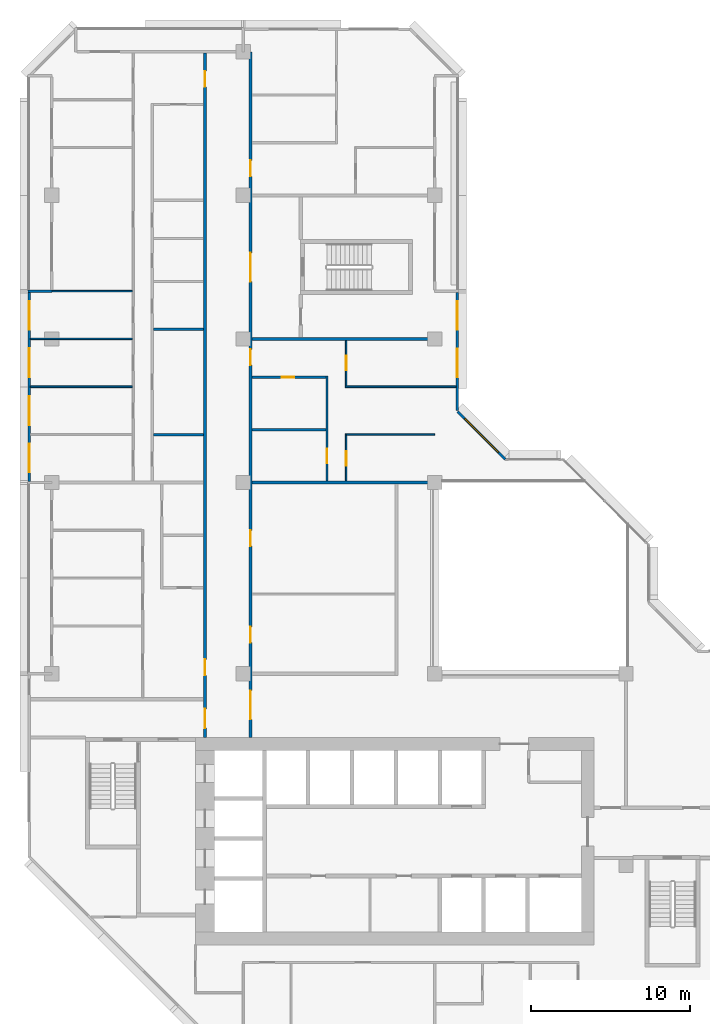
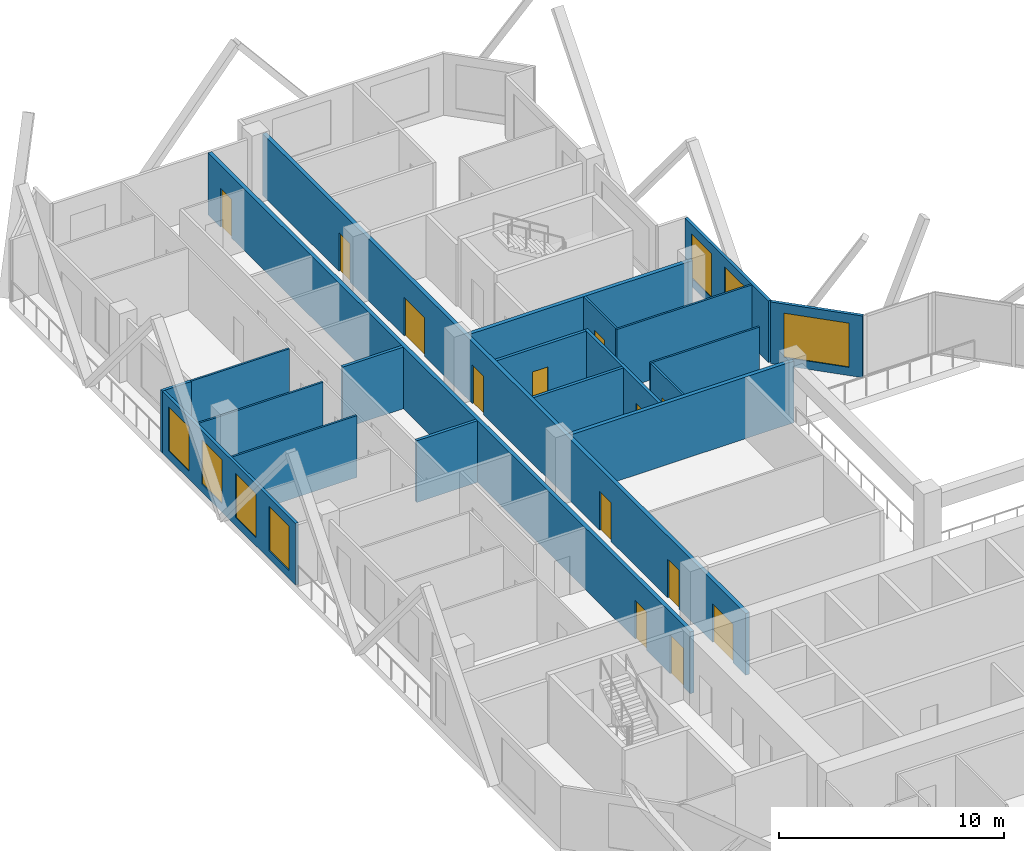
# One storey, part 9 of 14: 20 walls, 13 doors, 7 windows, 20 openings.
"""IFC4 building model written with IfcOpenShell, lengths in metres."""

from ifc_helpers import new_model, si_unit, direction, frame, frame_2d, origin, place, context, subcontext, project, spatial, rectangle, extrude, material, layer, layer_set, type_object, element, fill, save


model = new_model("IFC4")

# Units and contexts
model_context = context("Model", 3, precision=1e-05, world=origin(), true_north=direction((0.0, 1.0)))
body_context = subcontext(model_context, "Body", "Model", "MODEL_VIEW")
ifc_project = project(units=[si_unit("LENGTHUNIT", "METRE"), si_unit("AREAUNIT", "SQUARE_METRE"), si_unit("VOLUMEUNIT", "CUBIC_METRE"), si_unit("PLANEANGLEUNIT", "RADIAN"), si_unit("MASSUNIT", "GRAM", prefix="KILO")], contexts=[model_context])

# Site, building, storey
site_placement = place(None, origin())
site = spatial("IfcSite", under=ifc_project, at=site_placement, CompositionType="ELEMENT")
building_placement = place(site_placement, origin())
building = spatial("IfcBuilding", under=site, at=building_placement, Name="Chenar Terraces", CompositionType="ELEMENT")
storey_placement = place(building_placement, frame((0.0, 0.0, 157.39990234375)))
storey = spatial("IfcBuildingStorey", under=building, at=storey_placement, Name="L35", CompositionType="ELEMENT", Elevation=157.39990234375)

# Wall, openings, doors
ifc_material_1 = material(Name="Gypsum board on steel studs with fire boards", Category="steel")
ifc_layer_1 = layer(ifc_material_1, 0.199951171875)
ifc_layer_set_1 = layer_set([ifc_layer_1], Name="Gypsum board on steel studs with fire boards")
wall_type_1 = type_object("IfcWallType", Name="Corridor wall 200", PredefinedType="PARTITIONING", material=ifc_layer_set_1)
wall_1_placement = place(storey_placement, frame((9.60009765625, 20.0, 0.0), z_axis=(0.0, 0.0, 1.0), x_axis=(0.0, 1.0, 0.0)))
wall_1 = element("IfcWall", 1, at=wall_1_placement, inside=storey, type_object=wall_type_1, Name="Partition L35-028", PredefinedType="PARTITIONING", context=body_context, shape_type="SweptSolid", body=[
    extrude(rectangle(XDim=42.926025390625, YDim=0.199951171875, at=frame_2d((21.462890625, 0.0))), origin(), (0.0, 0.0, 1.0), 3.35009765625),
])
opening_1_placement = place(wall_1_placement, frame((40.800048828125, 0.0, 0.0)))
opening_1 = element("IfcOpeningElement", 2, at=opening_1_placement, cuts=wall_1, Name="Opening DL35-28", PredefinedType="OPENING", context=body_context, shape_type="SweptSolid", body=[
    extrude(rectangle(XDim=1.0, YDim=2.10009765625, at=frame_2d((0.5, 1.050048828125))), frame((0.0, 0.10986328125, 0.0), z_axis=(0.0, -1.0, 0.0), x_axis=(1.0, 0.0, 0.0)), (0.0, 0.0, 1.0), 0.219970703125),
])
opening_2_placement = place(wall_1_placement, frame((0.60009765625, 0.0, 0.0)))
opening_2 = element("IfcOpeningElement", 3, at=opening_2_placement, cuts=wall_1, Name="Opening DL35-37", PredefinedType="OPENING", context=body_context, shape_type="SweptSolid", body=[
    extrude(rectangle(XDim=1.199951171875, YDim=2.10009765625, at=frame_2d((0.60009765625, 1.050048828125))), frame((0.0, 0.10986328125, 0.0), z_axis=(0.0, -1.0, 0.0), x_axis=(1.0, 0.0, 0.0)), (0.0, 0.0, 1.0), 0.219970703125),
])
opening_3_placement = place(wall_1_placement, frame((3.89990234375, 0.0, 0.0)))
opening_3 = element("IfcOpeningElement", 4, at=opening_3_placement, cuts=wall_1, Name="Opening DL35-62", PredefinedType="OPENING", context=body_context, shape_type="SweptSolid", body=[
    extrude(rectangle(XDim=1.0, YDim=2.10009765625, at=frame_2d((0.5, 1.050048828125))), frame((0.0, 0.10986328125, 0.0), z_axis=(0.0, -1.0, 0.0), x_axis=(1.0, 0.0, 0.0)), (0.0, 0.0, 1.0), 0.219970703125),
])
ifc_material_2 = material(Name="Steel-framed fire-resisting door leaf", Category="steel")
door_type_1 = type_object("IfcDoorType", Name="Fire door FD30S 1000 x 2100", OperationType="SINGLE_SWING_LEFT", PredefinedType="DOOR", material=ifc_material_2)
door_1_placement = place(opening_1_placement, origin())
door_1 = element("IfcDoor", 5, at=door_1_placement, inside=storey, type_object=door_type_1, Name="Door DL35-28", OperationType="SINGLE_SWING_LEFT", OverallHeight=2.10009765625, OverallWidth=1.0, PredefinedType="DOOR", context=body_context, shape_type="SweptSolid", body=[
    extrude(rectangle(XDim=1.0, YDim=2.10009765625, at=frame_2d((0.5, 1.050048828125))), frame((0.0, 0.02490234375, 0.0), z_axis=(0.0, -1.0, 0.0), x_axis=(1.0, 0.0, 0.0)), (0.0, 0.0, 1.0), 0.050048828125),
])
fill(opening_1, door_1)
door_2_placement = place(opening_3_placement, origin())
door_2 = element("IfcDoor", 6, at=door_2_placement, inside=storey, type_object=door_type_1, Name="Door DL35-62", OperationType="SINGLE_SWING_LEFT", OverallHeight=2.10009765625, OverallWidth=1.0, PredefinedType="DOOR", context=body_context, shape_type="SweptSolid", body=[
    extrude(rectangle(XDim=1.0, YDim=2.10009765625, at=frame_2d((0.5, 1.050048828125))), frame((0.0, 0.02490234375, 0.0), z_axis=(0.0, -1.0, 0.0), x_axis=(1.0, 0.0, 0.0)), (0.0, 0.0, 1.0), 0.050048828125),
])
fill(opening_3, door_2)
ifc_material_3 = material(Name="Steel-framed fire-resisting door leaf", Category="steel")
door_type_2 = type_object("IfcDoorType", Name="Fire door FD30S 1200 x 2100", OperationType="SINGLE_SWING_LEFT", PredefinedType="DOOR", material=ifc_material_3)
door_3_placement = place(opening_2_placement, origin())
door_3 = element("IfcDoor", 7, at=door_3_placement, inside=storey, type_object=door_type_2, Name="Door DL35-37", OperationType="SINGLE_SWING_RIGHT", OverallHeight=2.10009765625, OverallWidth=1.199951171875, PredefinedType="DOOR", context=body_context, shape_type="SweptSolid", body=[
    extrude(rectangle(XDim=1.199951171875, YDim=2.10009765625, at=frame_2d((0.60009765625, 1.050048828125))), frame((0.0, 0.02490234375, 0.0), z_axis=(0.0, -1.0, 0.0), x_axis=(1.0, 0.0, 0.0)), (0.0, 0.0, 1.0), 0.050048828125),
])
fill(opening_2, door_3)

wall_2_placement = place(storey_placement, frame((12.449951171875, 20.0, 0.0), z_axis=(0.0, 0.0, 1.0), x_axis=(0.0, 1.0, 0.0)))
wall_2 = element("IfcWall", 8, at=wall_2_placement, inside=storey, type_object=wall_type_1, Name="Partition L35-031", PredefinedType="PARTITIONING", context=body_context, shape_type="SweptSolid", body=[
    extrude(rectangle(XDim=43.0, YDim=0.199951171875, at=frame_2d((21.5, 0.0))), origin(), (0.0, 0.0, 1.0), 3.35009765625),
])
opening_4_placement = place(wall_2_placement, frame((5.949951171875, 0.0, 0.0)))
opening_4 = element("IfcOpeningElement", 9, at=opening_4_placement, cuts=wall_2, Name="Opening DL35-1", PredefinedType="OPENING", context=body_context, shape_type="SweptSolid", body=[
    extrude(rectangle(XDim=1.0, YDim=2.10009765625, at=frame_2d((0.5, 1.050048828125))), frame((0.0, 0.10986328125, 0.0), z_axis=(0.0, -1.0, 0.0), x_axis=(1.0, 0.0, 0.0)), (0.0, 0.0, 1.0), 0.219970703125),
])
opening_5_placement = place(wall_2_placement, frame((12.0, 0.0, 0.0)))
opening_5 = element("IfcOpeningElement", 10, at=opening_5_placement, cuts=wall_2, Name="Opening DL35-2", PredefinedType="OPENING", context=body_context, shape_type="SweptSolid", body=[
    extrude(rectangle(XDim=1.0, YDim=2.10009765625, at=frame_2d((0.5, 1.050048828125))), frame((0.0, 0.10986328125, 0.0), z_axis=(0.0, -1.0, 0.0), x_axis=(1.0, 0.0, 0.0)), (0.0, 0.0, 1.0), 0.219970703125),
])
opening_6_placement = place(wall_2_placement, frame((23.35009765625, 0.0, 0.0)))
opening_6 = element("IfcOpeningElement", 11, at=opening_6_placement, cuts=wall_2, Name="Opening DL35-16", PredefinedType="OPENING", context=body_context, shape_type="SweptSolid", body=[
    extrude(rectangle(XDim=1.0, YDim=2.10009765625, at=frame_2d((0.5, 1.050048828125))), frame((0.0, 0.10986328125, 0.0), z_axis=(0.0, -1.0, 0.0), x_axis=(1.0, 0.0, 0.0)), (0.0, 0.0, 1.0), 0.219970703125),
])
opening_7_placement = place(wall_2_placement, frame((35.199951171875, 0.0, 0.0)))
opening_7 = element("IfcOpeningElement", 12, at=opening_7_placement, cuts=wall_2, Name="Opening DL35-20", PredefinedType="OPENING", context=body_context, shape_type="SweptSolid", body=[
    extrude(rectangle(XDim=1.0, YDim=2.10009765625, at=frame_2d((0.5, 1.050048828125))), frame((0.0, 0.10986328125, 0.0), z_axis=(0.0, -1.0, 0.0), x_axis=(1.0, 0.0, 0.0)), (0.0, 0.0, 1.0), 0.219970703125),
])
opening_8_placement = place(wall_2_placement, frame((1.14990234375, 0.0, 0.0)))
opening_8 = element("IfcOpeningElement", 13, at=opening_8_placement, cuts=wall_2, Name="Opening DL35-36", PredefinedType="OPENING", context=body_context, shape_type="SweptSolid", body=[
    extrude(rectangle(XDim=1.800048828125, YDim=2.10009765625, at=frame_2d((0.89990234375, 1.050048828125))), frame((0.0, 0.10986328125, 0.0), z_axis=(0.0, -1.0, 0.0), x_axis=(1.0, 0.0, 0.0)), (0.0, 0.0, 1.0), 0.219970703125),
])
opening_9_placement = place(wall_2_placement, frame((28.60009765625, 0.0, 0.0)))
opening_9 = element("IfcOpeningElement", 14, at=opening_9_placement, cuts=wall_2, Name="Opening DL35-38", PredefinedType="OPENING", context=body_context, shape_type="SweptSolid", body=[
    extrude(rectangle(XDim=1.800048828125, YDim=2.10009765625, at=frame_2d((0.89990234375, 1.050048828125))), frame((0.0, 0.10986328125, 0.0), z_axis=(0.0, -1.0, 0.0), x_axis=(1.0, 0.0, 0.0)), (0.0, 0.0, 1.0), 0.219970703125),
])
ifc_material_4 = material(Name="Steel-framed fire-resisting door leaf", Category="steel")
door_type_3 = type_object("IfcDoorType", Name="Fire door FD60 1000 x 2100", OperationType="SINGLE_SWING_LEFT", PredefinedType="DOOR", material=ifc_material_4)
door_4_placement = place(opening_4_placement, frame((1.0, 0.0, 0.0), z_axis=(0.0, 0.0, 1.0), x_axis=(-1.0, 0.0, 0.0)))
door_4 = element("IfcDoor", 15, at=door_4_placement, inside=storey, type_object=door_type_3, Name="Door DL35-1", OperationType="SINGLE_SWING_LEFT", OverallHeight=2.10009765625, OverallWidth=1.0, PredefinedType="DOOR", context=body_context, shape_type="SweptSolid", body=[
    extrude(rectangle(XDim=1.0, YDim=2.10009765625, at=frame_2d((0.5, 1.050048828125))), frame((0.0, 0.02490234375, 0.0), z_axis=(0.0, -1.0, 0.0), x_axis=(1.0, 0.0, 0.0)), (0.0, 0.0, 1.0), 0.050048828125),
])
fill(opening_4, door_4)
door_5_placement = place(opening_5_placement, frame((1.0, 0.0, 0.0), z_axis=(0.0, 0.0, 1.0), x_axis=(-1.0, 0.0, 0.0)))
door_5 = element("IfcDoor", 16, at=door_5_placement, inside=storey, type_object=door_type_3, Name="Door DL35-2", OperationType="SINGLE_SWING_LEFT", OverallHeight=2.10009765625, OverallWidth=1.0, PredefinedType="DOOR", context=body_context, shape_type="SweptSolid", body=[
    extrude(rectangle(XDim=1.0, YDim=2.10009765625, at=frame_2d((0.5, 1.050048828125))), frame((0.0, 0.02490234375, 0.0), z_axis=(0.0, -1.0, 0.0), x_axis=(1.0, 0.0, 0.0)), (0.0, 0.0, 1.0), 0.050048828125),
])
fill(opening_5, door_5)
door_6_placement = place(opening_6_placement, frame((1.0, 0.0, 0.0), z_axis=(0.0, 0.0, 1.0), x_axis=(-1.0, 0.0, 0.0)))
door_6 = element("IfcDoor", 17, at=door_6_placement, inside=storey, type_object=door_type_3, Name="Door DL35-16", OperationType="SINGLE_SWING_LEFT", OverallHeight=2.10009765625, OverallWidth=1.0, PredefinedType="DOOR", context=body_context, shape_type="SweptSolid", body=[
    extrude(rectangle(XDim=1.0, YDim=2.10009765625, at=frame_2d((0.5, 1.050048828125))), frame((0.0, 0.02490234375, 0.0), z_axis=(0.0, -1.0, 0.0), x_axis=(1.0, 0.0, 0.0)), (0.0, 0.0, 1.0), 0.050048828125),
])
fill(opening_6, door_6)
door_7_placement = place(opening_7_placement, frame((1.0, 0.0, 0.0), z_axis=(0.0, 0.0, 1.0), x_axis=(-1.0, 0.0, 0.0)))
door_7 = element("IfcDoor", 18, at=door_7_placement, inside=storey, type_object=door_type_3, Name="Door DL35-20", OperationType="SINGLE_SWING_LEFT", OverallHeight=2.10009765625, OverallWidth=1.0, PredefinedType="DOOR", context=body_context, shape_type="SweptSolid", body=[
    extrude(rectangle(XDim=1.0, YDim=2.10009765625, at=frame_2d((0.5, 1.050048828125))), frame((0.0, 0.02490234375, 0.0), z_axis=(0.0, -1.0, 0.0), x_axis=(1.0, 0.0, 0.0)), (0.0, 0.0, 1.0), 0.050048828125),
])
fill(opening_7, door_7)
ifc_material_5 = material(Name="Steel-framed fire-resisting door leaf", Category="steel")
door_type_4 = type_object("IfcDoorType", Name="Fire double door FD60 1800 x 2100", OperationType="DOUBLE_DOOR_SINGLE_SWING", PredefinedType="DOOR", material=ifc_material_5)
door_8_placement = place(opening_8_placement, frame((1.800048828125, 0.0, 0.0), z_axis=(0.0, 0.0, 1.0), x_axis=(-1.0, 0.0, 0.0)))
door_8 = element("IfcDoor", 19, at=door_8_placement, inside=storey, type_object=door_type_4, Name="Door DL35-36", OperationType="DOUBLE_DOOR_SINGLE_SWING", OverallHeight=2.10009765625, OverallWidth=1.800048828125, PredefinedType="DOOR", context=body_context, shape_type="SweptSolid", body=[
    extrude(rectangle(XDim=1.800048828125, YDim=2.10009765625, at=frame_2d((0.89990234375, 1.050048828125))), frame((0.0, 0.02490234375, 0.0), z_axis=(0.0, -1.0, 0.0), x_axis=(1.0, 0.0, 0.0)), (0.0, 0.0, 1.0), 0.050048828125),
])
fill(opening_8, door_8)
door_9_placement = place(opening_9_placement, frame((1.800048828125, 0.0, 0.0), z_axis=(0.0, 0.0, 1.0), x_axis=(-1.0, 0.0, 0.0)))
door_9 = element("IfcDoor", 20, at=door_9_placement, inside=storey, type_object=door_type_4, Name="Door DL35-38", OperationType="DOUBLE_DOOR_SINGLE_SWING", OverallHeight=2.10009765625, OverallWidth=1.800048828125, PredefinedType="DOOR", context=body_context, shape_type="SweptSolid", body=[
    extrude(rectangle(XDim=1.800048828125, YDim=2.10009765625, at=frame_2d((0.89990234375, 1.050048828125))), frame((0.0, 0.02490234375, 0.0), z_axis=(0.0, -1.0, 0.0), x_axis=(1.0, 0.0, 0.0)), (0.0, 0.0, 1.0), 0.050048828125),
])
fill(opening_9, door_9)

# Wall, openings, windows
ifc_material_6 = material(Name="Aluminium framed glazing", Category="aluminium")
ifc_layer_2 = layer(ifc_material_6, 0.14990234375)
ifc_layer_set_2 = layer_set([ifc_layer_2], Name="Aluminium framed glazing")
wall_type_2 = type_object("IfcWallType", Name="Glazed flush facade wall 150", PredefinedType="SOLIDWALL", material=ifc_layer_set_2)
wall_3_placement = place(storey_placement, frame((25.425048828125, 40.5, 0.0), z_axis=(0.0, 0.0, 1.0), x_axis=(0.0, 1.0, 0.0)))
wall_3 = element("IfcWall", 21, at=wall_3_placement, inside=storey, type_object=wall_type_2, Name="Glazed flush facade wall", PredefinedType="SOLIDWALL", context=body_context, shape_type="SweptSolid", body=[
    extrude(rectangle(XDim=7.425048828125, YDim=0.14990234375, at=frame_2d((3.71240234375, 0.0))), origin(), (0.0, 0.0, 1.0), 3.35009765625),
])
opening_10_placement = place(wall_3_placement, frame((2.10009765625, 0.0, 0.449951171875)))
opening_10 = element("IfcOpeningElement", 22, at=opening_10_placement, cuts=wall_3, Name="Opening W180x240", PredefinedType="OPENING", context=body_context, shape_type="SweptSolid", body=[
    extrude(rectangle(XDim=1.800048828125, YDim=2.39990234375, at=frame_2d((0.89990234375, 1.199951171875))), frame((0.0, 0.0849609375, 0.0), z_axis=(0.0, -1.0, 0.0), x_axis=(1.0, 0.0, 0.0)), (0.0, 0.0, 1.0), 0.169921875),
])
opening_11_placement = place(wall_3_placement, frame((5.0625, 0.0, 0.449951171875)))
opening_11 = element("IfcOpeningElement", 23, at=opening_11_placement, cuts=wall_3, Name="Opening W180x240", PredefinedType="OPENING", context=body_context, shape_type="SweptSolid", body=[
    extrude(rectangle(XDim=1.800048828125, YDim=2.39990234375, at=frame_2d((0.89990234375, 1.199951171875))), frame((0.0, 0.0849609375, 0.0), z_axis=(0.0, -1.0, 0.0), x_axis=(1.0, 0.0, 0.0)), (0.0, 0.0, 1.0), 0.169921875),
])
ifc_material_7 = material(Name="Low emissivity double glazing, aluminium frame", Category="aluminium")
window_type_1 = type_object("IfcWindowType", Name="Fixed light 1800 x 2400", PartitioningType="SINGLE_PANEL", PredefinedType="WINDOW", material=ifc_material_7)
window_1_placement = place(opening_10_placement, origin())
window_1 = element("IfcWindow", 24, at=window_1_placement, inside=storey, type_object=window_type_1, Name="Window", OverallHeight=2.39990234375, OverallWidth=1.800048828125, PartitioningType="SINGLE_PANEL", PredefinedType="WINDOW", context=body_context, shape_type="SweptSolid", body=[
    extrude(rectangle(XDim=1.800048828125, YDim=2.39990234375, at=frame_2d((0.89990234375, 1.199951171875))), frame((0.0, 0.030029296875, 0.0), z_axis=(0.0, -1.0, 0.0), x_axis=(1.0, 0.0, 0.0)), (0.0, 0.0, 1.0), 0.06005859375),
])
fill(opening_10, window_1)
window_2_placement = place(opening_11_placement, origin())
window_2 = element("IfcWindow", 25, at=window_2_placement, inside=storey, type_object=window_type_1, Name="Window", OverallHeight=2.39990234375, OverallWidth=1.800048828125, PartitioningType="SINGLE_PANEL", PredefinedType="WINDOW", context=body_context, shape_type="SweptSolid", body=[
    extrude(rectangle(XDim=1.800048828125, YDim=2.39990234375, at=frame_2d((0.89990234375, 1.199951171875))), frame((0.0, 0.030029296875, 0.0), z_axis=(0.0, -1.0, 0.0), x_axis=(1.0, 0.0, 0.0)), (0.0, 0.0, 1.0), 0.06005859375),
])
fill(opening_11, window_2)

wall_4_placement = place(storey_placement, frame((-1.425048828125, 47.925048828125, 0.0), z_axis=(0.0, 0.0, 1.0), x_axis=(0.0, -1.0, 0.0)))
wall_4 = element("IfcWall", 26, at=wall_4_placement, inside=storey, type_object=wall_type_2, Name="Glazed flush facade wall", PredefinedType="SOLIDWALL", context=body_context, shape_type="SweptSolid", body=[
    extrude(rectangle(XDim=11.85009765625, YDim=0.14990234375, at=frame_2d((5.925048828125, 0.0))), origin(), (0.0, 0.0, 1.0), 3.35009765625),
])
opening_12_placement = place(wall_4_placement, frame((0.5625, 0.0, 0.449951171875)))
opening_12 = element("IfcOpeningElement", 27, at=opening_12_placement, cuts=wall_4, Name="Opening W180x240", PredefinedType="OPENING", context=body_context, shape_type="SweptSolid", body=[
    extrude(rectangle(XDim=1.800048828125, YDim=2.39990234375, at=frame_2d((0.89990234375, 1.199951171875))), frame((0.0, 0.0849609375, 0.0), z_axis=(0.0, -1.0, 0.0), x_axis=(1.0, 0.0, 0.0)), (0.0, 0.0, 1.0), 0.169921875),
])
opening_13_placement = place(wall_4_placement, frame((3.52490234375, 0.0, 0.449951171875)))
opening_13 = element("IfcOpeningElement", 28, at=opening_13_placement, cuts=wall_4, Name="Opening W180x240", PredefinedType="OPENING", context=body_context, shape_type="SweptSolid", body=[
    extrude(rectangle(XDim=1.800048828125, YDim=2.39990234375, at=frame_2d((0.89990234375, 1.199951171875))), frame((0.0, 0.0849609375, 0.0), z_axis=(0.0, -1.0, 0.0), x_axis=(1.0, 0.0, 0.0)), (0.0, 0.0, 1.0), 0.169921875),
])
opening_14_placement = place(wall_4_placement, frame((6.52490234375, 0.0, 0.449951171875)))
opening_14 = element("IfcOpeningElement", 29, at=opening_14_placement, cuts=wall_4, Name="Opening W180x240", PredefinedType="OPENING", context=body_context, shape_type="SweptSolid", body=[
    extrude(rectangle(XDim=1.800048828125, YDim=2.39990234375, at=frame_2d((0.89990234375, 1.199951171875))), frame((0.0, 0.0849609375, 0.0), z_axis=(0.0, -1.0, 0.0), x_axis=(1.0, 0.0, 0.0)), (0.0, 0.0, 1.0), 0.169921875),
])
opening_15_placement = place(wall_4_placement, frame((9.487548828125, 0.0, 0.449951171875)))
opening_15 = element("IfcOpeningElement", 30, at=opening_15_placement, cuts=wall_4, Name="Opening W180x240", PredefinedType="OPENING", context=body_context, shape_type="SweptSolid", body=[
    extrude(rectangle(XDim=1.800048828125, YDim=2.39990234375, at=frame_2d((0.89990234375, 1.199951171875))), frame((0.0, 0.0849609375, 0.0), z_axis=(0.0, -1.0, 0.0), x_axis=(1.0, 0.0, 0.0)), (0.0, 0.0, 1.0), 0.169921875),
])
window_3_placement = place(opening_12_placement, origin())
window_3 = element("IfcWindow", 31, at=window_3_placement, inside=storey, type_object=window_type_1, Name="Window", OverallHeight=2.39990234375, OverallWidth=1.800048828125, PartitioningType="SINGLE_PANEL", PredefinedType="WINDOW", context=body_context, shape_type="SweptSolid", body=[
    extrude(rectangle(XDim=1.800048828125, YDim=2.39990234375, at=frame_2d((0.89990234375, 1.199951171875))), frame((0.0, 0.030029296875, 0.0), z_axis=(0.0, -1.0, 0.0), x_axis=(1.0, 0.0, 0.0)), (0.0, 0.0, 1.0), 0.06005859375),
])
fill(opening_12, window_3)
window_4_placement = place(opening_13_placement, origin())
window_4 = element("IfcWindow", 32, at=window_4_placement, inside=storey, type_object=window_type_1, Name="Window", OverallHeight=2.39990234375, OverallWidth=1.800048828125, PartitioningType="SINGLE_PANEL", PredefinedType="WINDOW", context=body_context, shape_type="SweptSolid", body=[
    extrude(rectangle(XDim=1.800048828125, YDim=2.39990234375, at=frame_2d((0.89990234375, 1.199951171875))), frame((0.0, 0.030029296875, 0.0), z_axis=(0.0, -1.0, 0.0), x_axis=(1.0, 0.0, 0.0)), (0.0, 0.0, 1.0), 0.06005859375),
])
fill(opening_13, window_4)
window_5_placement = place(opening_14_placement, origin())
window_5 = element("IfcWindow", 33, at=window_5_placement, inside=storey, type_object=window_type_1, Name="Window", OverallHeight=2.39990234375, OverallWidth=1.800048828125, PartitioningType="SINGLE_PANEL", PredefinedType="WINDOW", context=body_context, shape_type="SweptSolid", body=[
    extrude(rectangle(XDim=1.800048828125, YDim=2.39990234375, at=frame_2d((0.89990234375, 1.199951171875))), frame((0.0, 0.030029296875, 0.0), z_axis=(0.0, -1.0, 0.0), x_axis=(1.0, 0.0, 0.0)), (0.0, 0.0, 1.0), 0.06005859375),
])
fill(opening_14, window_5)
window_6_placement = place(opening_15_placement, origin())
window_6 = element("IfcWindow", 34, at=window_6_placement, inside=storey, type_object=window_type_1, Name="Window", OverallHeight=2.39990234375, OverallWidth=1.800048828125, PartitioningType="SINGLE_PANEL", PredefinedType="WINDOW", context=body_context, shape_type="SweptSolid", body=[
    extrude(rectangle(XDim=1.800048828125, YDim=2.39990234375, at=frame_2d((0.89990234375, 1.199951171875))), frame((0.0, 0.030029296875, 0.0), z_axis=(0.0, -1.0, 0.0), x_axis=(1.0, 0.0, 0.0)), (0.0, 0.0, 1.0), 0.06005859375),
])
fill(opening_15, window_6)

# Walls
ifc_material_8 = material(Name="Gypsum board on steel studs", Category="steel")
ifc_layer_3 = layer(ifc_material_8, 0.10009765625)
ifc_layer_set_3 = layer_set([ifc_layer_3], Name="Gypsum board on steel studs")
wall_type_3 = type_object("IfcWallType", Name="Gypsum partition 100", PredefinedType="PARTITIONING", material=ifc_layer_set_3)
for number, where, z_axis, x_axis, name in (
    (35, (-1.35107421875, 42.0, 0.0), (0.0, 0.0, 1.0), (1.0, 0.0, 0.0), "Partition L35-002"),
    (36, (-1.35107421875, 45.0, 0.0), (0.0, 0.0, 1.0), (1.0, 0.0, 0.0), "Partition L35-003"),
):
    element("IfcWall", number, at=place(storey_placement, frame(where, z_axis=z_axis, x_axis=x_axis)), inside=storey, type_object=wall_type_3, Name=name, PredefinedType="PARTITIONING", context=body_context, shape_type="SweptSolid", body=[
        extrude(rectangle(XDim=6.401123046875, YDim=0.10009765625, at=frame_2d((3.20068359375, 0.0))), origin(), (0.0, 0.0, 1.0), 3.35009765625),
    ])
wall_5_placement = place(storey_placement, frame((0.0, 48.0, 0.0), z_axis=(0.0, 0.0, 1.0), x_axis=(1.0, 0.0, 0.0)))
element("IfcWall", 37, at=wall_5_placement, inside=storey, type_object=wall_type_3, Name="Partition L35-007", PredefinedType="PARTITIONING", context=body_context, shape_type="SweptSolid", body=[
    extrude(rectangle(XDim=5.050048828125, YDim=0.10009765625, at=frame_2d((2.52490234375, 0.0))), origin(), (0.0, 0.0, 1.0), 3.35009765625),
])
wall_6_placement = place(storey_placement, frame((18.39990234375, 39.0, 0.0), z_axis=(0.0, 0.0, 1.0), x_axis=(1.0, 0.0, 0.0)))
element("IfcWall", 38, at=wall_6_placement, inside=storey, type_object=wall_type_3, Name="Partition L35-046", PredefinedType="PARTITIONING", context=body_context, shape_type="SweptSolid", body=[
    extrude(rectangle(XDim=5.60009765625, YDim=0.10009765625, at=frame_2d((2.800048828125, 0.0))), origin(), (0.0, 0.0, 1.0), 3.35009765625),
])
wall_7_placement = place(storey_placement, frame((18.39990234375, 42.0, 0.0), z_axis=(0.0, 0.0, 1.0), x_axis=(1.0, 0.0, 0.0)))
element("IfcWall", 39, at=wall_7_placement, inside=storey, type_object=wall_type_3, Name="Partition L35-047", PredefinedType="PARTITIONING", context=body_context, shape_type="SweptSolid", body=[
    extrude(rectangle(XDim=6.9501953125, YDim=0.10009765625, at=frame_2d((3.47509765625, 0.0))), origin(), (0.0, 0.0, 1.0), 3.35009765625),
])

# Wall, opening, door
wall_8_placement = place(storey_placement, frame((18.449951171875, 36.10009765625, 0.0), z_axis=(0.0, 0.0, 1.0), x_axis=(0.0, 1.0, 0.0)))
wall_8 = element("IfcWall", 40, at=wall_8_placement, inside=storey, type_object=wall_type_3, Name="Partition L35-048", PredefinedType="PARTITIONING", context=body_context, shape_type="SweptSolid", body=[
    extrude(rectangle(XDim=2.849853515625, YDim=0.10009765625, at=frame_2d((1.4248046875, 0.0))), origin(), (0.0, 0.0, 1.0), 3.35009765625),
])
opening_16_placement = place(wall_8_placement, frame((0.949951171875, 0.0, 0.0)))
opening_16 = element("IfcOpeningElement", 41, at=opening_16_placement, cuts=wall_8, Name="Opening DL35-13", PredefinedType="OPENING", context=body_context, shape_type="SweptSolid", body=[
    extrude(rectangle(XDim=0.89990234375, YDim=2.10009765625, at=frame_2d((0.449951171875, 1.050048828125))), frame((0.0, 0.06005859375, 0.0), z_axis=(0.0, -1.0, 0.0), x_axis=(1.0, 0.0, 0.0)), (0.0, 0.0, 1.0), 0.1201171875),
])
ifc_material_9 = material(Name="Veneered timber door leaf", Category="wood")
door_type_5 = type_object("IfcDoorType", Name="Door 900 x 2100", OperationType="SINGLE_SWING_LEFT", PredefinedType="DOOR", material=ifc_material_9)
door_10_placement = place(opening_16_placement, frame((0.89990234375, 0.0, 0.0), z_axis=(0.0, 0.0, 1.0), x_axis=(-1.0, 0.0, 0.0)))
door_10 = element("IfcDoor", 42, at=door_10_placement, inside=storey, type_object=door_type_5, Name="Door DL35-13", OperationType="SINGLE_SWING_LEFT", OverallHeight=2.10009765625, OverallWidth=0.89990234375, PredefinedType="DOOR", context=body_context, shape_type="SweptSolid", body=[
    extrude(rectangle(XDim=0.89990234375, YDim=2.10009765625, at=frame_2d((0.449951171875, 1.050048828125))), frame((0.0, 0.02490234375, 0.0), z_axis=(0.0, -1.0, 0.0), x_axis=(1.0, 0.0, 0.0)), (0.0, 0.0, 1.0), 0.050048828125),
])
fill(opening_16, door_10)

wall_9_placement = place(storey_placement, frame((18.449951171875, 42.050048828125, 0.0), z_axis=(0.0, 0.0, 1.0), x_axis=(0.0, 1.0, 0.0)))
wall_9 = element("IfcWall", 43, at=wall_9_placement, inside=storey, type_object=wall_type_3, Name="Partition L35-049", PredefinedType="PARTITIONING", context=body_context, shape_type="SweptSolid", body=[
    extrude(rectangle(XDim=2.849853515625, YDim=0.10009765625, at=frame_2d((1.4248046875, 0.0))), origin(), (0.0, 0.0, 1.0), 3.35009765625),
])
opening_17_placement = place(wall_9_placement, frame((1.0, 0.0, 0.0)))
opening_17 = element("IfcOpeningElement", 44, at=opening_17_placement, cuts=wall_9, Name="Opening DL35-14", PredefinedType="OPENING", context=body_context, shape_type="SweptSolid", body=[
    extrude(rectangle(XDim=0.89990234375, YDim=2.10009765625, at=frame_2d((0.449951171875, 1.050048828125))), frame((0.0, 0.06005859375, 0.0), z_axis=(0.0, -1.0, 0.0), x_axis=(1.0, 0.0, 0.0)), (0.0, 0.0, 1.0), 0.1201171875),
])
door_11_placement = place(opening_17_placement, frame((0.89990234375, 0.0, 0.0), z_axis=(0.0, 0.0, 1.0), x_axis=(-1.0, 0.0, 0.0)))
door_11 = element("IfcDoor", 45, at=door_11_placement, inside=storey, type_object=door_type_5, Name="Door DL35-14", OperationType="SINGLE_SWING_LEFT", OverallHeight=2.10009765625, OverallWidth=0.89990234375, PredefinedType="DOOR", context=body_context, shape_type="SweptSolid", body=[
    extrude(rectangle(XDim=0.89990234375, YDim=2.10009765625, at=frame_2d((0.449951171875, 1.050048828125))), frame((0.0, 0.02490234375, 0.0), z_axis=(0.0, -1.0, 0.0), x_axis=(1.0, 0.0, 0.0)), (0.0, 0.0, 1.0), 0.050048828125),
])
fill(opening_17, door_11)

# Wall
ifc_material_10 = material(Name="Terracotta cladding on insulated backing", Category="masonry")
ifc_layer_4 = layer(ifc_material_10, 0.14990234375)
ifc_layer_set_4 = layer_set([ifc_layer_4], Name="Terracotta cladding on insulated backing")
wall_type_4 = type_object("IfcWallType", Name="Loggia return wall 150", PredefinedType="SOLIDWALL", material=ifc_layer_set_4)
wall_10_placement = place(storey_placement, frame((-1.5, 48.0, 0.0), z_axis=(0.0, 0.0, 1.0), x_axis=(1.0, 0.0, 0.0)))
element("IfcWall", 46, at=wall_10_placement, inside=storey, type_object=wall_type_4, Name="Loggia return wall", PredefinedType="SOLIDWALL", context=body_context, shape_type="SweptSolid", body=[
    extrude(rectangle(XDim=1.5, YDim=0.14990234375, at=frame_2d((0.75, 0.0))), origin(), (0.0, 0.0, 1.0), 3.35009765625),
])

# Wall, opening, window
ifc_material_11 = material(Name="Terracotta cladding on insulated backing", Category="masonry")
ifc_layer_5 = layer(ifc_material_11, 0.14990234375)
ifc_layer_set_5 = layer_set([ifc_layer_5], Name="Terracotta cladding on insulated backing")
wall_type_5 = type_object("IfcWallType", Name="Terracotta rainscreen wall 150", PredefinedType="SOLIDWALL", material=ifc_layer_set_5)
wall_11_placement = place(storey_placement, frame((28.447021484375, 37.447021484375, 0.0), z_axis=(0.0, 0.0, 1.0), x_axis=(-0.707106781187, 0.707106781187, 0.0)))
wall_11 = element("IfcWall", 47, at=wall_11_placement, inside=storey, type_object=wall_type_5, Name="Terracotta rainscreen wall", PredefinedType="SOLIDWALL", context=body_context, shape_type="SweptSolid", body=[
    extrude(rectangle(XDim=4.24267578125, YDim=0.14990234375, at=frame_2d((2.121337890625, 0.0))), origin(), (0.0, 0.0, 1.0), 3.35009765625),
])
opening_18_placement = place(wall_11_placement, frame((0.621337890625, 0.0, 0.449951171875)))
opening_18 = element("IfcOpeningElement", 48, at=opening_18_placement, cuts=wall_11, Name="Opening W300x240", PredefinedType="OPENING", context=body_context, shape_type="SweptSolid", body=[
    extrude(rectangle(XDim=3.0, YDim=2.39990234375, at=frame_2d((1.5, 1.199951171875))), frame((0.0, 0.0849609375, 0.0), z_axis=(0.0, -1.0, 0.0), x_axis=(1.0, 0.0, 0.0)), (0.0, 0.0, 1.0), 0.169921875),
])
ifc_material_12 = material(Name="Low emissivity double glazing, aluminium frame", Category="aluminium")
window_type_2 = type_object("IfcWindowType", Name="Fixed light 3000 x 2400", PartitioningType="SINGLE_PANEL", PredefinedType="WINDOW", material=ifc_material_12)
window_7_placement = place(opening_18_placement, origin())
window_7 = element("IfcWindow", 49, at=window_7_placement, inside=storey, type_object=window_type_2, Name="Window", OverallHeight=2.39990234375, OverallWidth=3.0, PartitioningType="SINGLE_PANEL", PredefinedType="WINDOW", context=body_context, shape_type="SweptSolid", body=[
    extrude(rectangle(XDim=3.0, YDim=2.39990234375, at=frame_2d((1.5, 1.199951171875))), frame((0.0, 0.030029296875, 0.0), z_axis=(0.0, -1.0, 0.0), x_axis=(1.0, 0.0, 0.0)), (0.0, 0.0, 1.0), 0.06005859375),
])
fill(opening_18, window_7)

# Walls
ifc_material_13 = material(Name="Twin gypsum board on steel studs with mineral wool", Category="steel")
ifc_layer_6 = layer(ifc_material_13, 0.199951171875)
ifc_layer_set_6 = layer_set([ifc_layer_6], Name="Twin gypsum board on steel studs with mineral wool")
wall_type_6 = type_object("IfcWallType", Name="Unit demising wall 200", PredefinedType="PARTITIONING", material=ifc_layer_set_6)
for number, where, z_axis, x_axis, name in (
    (50, (12.550048828125, 36.0, 0.0), (0.0, 0.0, 1.0), (1.0, 0.0, 0.0), "Partition L35-034"),
    (51, (12.550048828125, 45.0, 0.0), (0.0, 0.0, 1.0), (1.0, 0.0, 0.0), "Partition L35-037"),
):
    element("IfcWall", number, at=place(storey_placement, frame(where, z_axis=z_axis, x_axis=x_axis)), inside=storey, type_object=wall_type_6, Name=name, PredefinedType="PARTITIONING", context=body_context, shape_type="SweptSolid", body=[
        extrude(rectangle(XDim=11.449951171875, YDim=0.199951171875, at=frame_2d((5.72509765625, 0.0))), origin(), (0.0, 0.0, 1.0), 3.35009765625),
    ])
ifc_material_14 = material(Name="Moisture-resistant gypsum board on steel studs", Category="steel")
ifc_layer_7 = layer(ifc_material_14, 0.14990234375)
ifc_layer_set_7 = layer_set([ifc_layer_7], Name="Moisture-resistant gypsum board on steel studs")
wall_type_7 = type_object("IfcWallType", Name="Wet-room partition 150", PredefinedType="PARTITIONING", material=ifc_layer_set_7)
for number, where, z_axis, x_axis, name in (
    (52, (6.375, 39.0, 0.0), (0.0, 0.0, 1.0), (1.0, 0.0, 0.0), "Partition L35-017"),
    (53, (6.375, 45.60009765625, 0.0), (0.0, 0.0, 1.0), (1.0, 0.0, 0.0), "Partition L35-018"),
):
    element("IfcWall", number, at=place(storey_placement, frame(where, z_axis=z_axis, x_axis=x_axis)), inside=storey, type_object=wall_type_7, Name=name, PredefinedType="PARTITIONING", context=body_context, shape_type="SweptSolid", body=[
        extrude(rectangle(XDim=3.125, YDim=0.14990234375, at=frame_2d((1.5625, 0.0))), origin(), (0.0, 0.0, 1.0), 3.35009765625),
    ])
wall_12_placement = place(storey_placement, frame((12.550048828125, 39.300048828125, 0.0), z_axis=(0.0, 0.0, 1.0), x_axis=(1.0, 0.0, 0.0)))
element("IfcWall", 54, at=wall_12_placement, inside=storey, type_object=wall_type_7, Name="Partition L35-035", PredefinedType="PARTITIONING", context=body_context, shape_type="SweptSolid", body=[
    extrude(rectangle(XDim=4.625, YDim=0.14990234375, at=frame_2d((2.3125, 0.0))), origin(), (0.0, 0.0, 1.0), 3.35009765625),
])

# Wall, opening, door
wall_13_placement = place(storey_placement, frame((12.550048828125, 42.60009765625, 0.0), z_axis=(0.0, 0.0, 1.0), x_axis=(1.0, 0.0, 0.0)))
wall_13 = element("IfcWall", 55, at=wall_13_placement, inside=storey, type_object=wall_type_7, Name="Partition L35-036", PredefinedType="PARTITIONING", context=body_context, shape_type="SweptSolid", body=[
    extrude(rectangle(XDim=4.625, YDim=0.14990234375, at=frame_2d((2.3125, 0.0))), origin(), (0.0, 0.0, 1.0), 3.35009765625),
])
opening_19_placement = place(wall_13_placement, frame((1.85009765625, 0.0, 0.0)))
opening_19 = element("IfcOpeningElement", 56, at=opening_19_placement, cuts=wall_13, Name="Opening DL35-12", PredefinedType="OPENING", context=body_context, shape_type="SweptSolid", body=[
    extrude(rectangle(XDim=0.800048828125, YDim=2.10009765625, at=frame_2d((0.39990234375, 1.050048828125))), frame((0.0, 0.0849609375, 0.0), z_axis=(0.0, -1.0, 0.0), x_axis=(1.0, 0.0, 0.0)), (0.0, 0.0, 1.0), 0.169921875),
])
ifc_material_15 = material(Name="Veneered timber door leaf", Category="wood")
door_type_6 = type_object("IfcDoorType", Name="Door 800 x 2100", OperationType="SINGLE_SWING_LEFT", PredefinedType="DOOR", material=ifc_material_15)
door_12_placement = place(opening_19_placement, frame((0.800048828125, 0.0, 0.0), z_axis=(0.0, 0.0, 1.0), x_axis=(-1.0, 0.0, 0.0)))
door_12 = element("IfcDoor", 57, at=door_12_placement, inside=storey, type_object=door_type_6, Name="Door DL35-12", OperationType="SINGLE_SWING_LEFT", OverallHeight=2.10009765625, OverallWidth=0.800048828125, PredefinedType="DOOR", context=body_context, shape_type="SweptSolid", body=[
    extrude(rectangle(XDim=0.800048828125, YDim=2.10009765625, at=frame_2d((0.39990234375, 1.050048828125))), frame((0.0, 0.02490234375, 0.0), z_axis=(0.0, -1.0, 0.0), x_axis=(1.0, 0.0, 0.0)), (0.0, 0.0, 1.0), 0.050048828125),
])
fill(opening_19, door_12)

wall_14_placement = place(storey_placement, frame((17.25, 36.10009765625, 0.0), z_axis=(0.0, 0.0, 1.0), x_axis=(0.0, 1.0, 0.0)))
wall_14 = element("IfcWall", 58, at=wall_14_placement, inside=storey, type_object=wall_type_7, Name="Partition L35-044", PredefinedType="PARTITIONING", context=body_context, shape_type="SweptSolid", body=[
    extrude(rectangle(XDim=6.574951171875, YDim=0.14990234375, at=frame_2d((3.28759765625, 0.0))), origin(), (0.0, 0.0, 1.0), 3.35009765625),
])
opening_20_placement = place(wall_14_placement, frame((1.10009765625, 0.0, 0.0)))
opening_20 = element("IfcOpeningElement", 59, at=opening_20_placement, cuts=wall_14, Name="Opening DL35-15", PredefinedType="OPENING", context=body_context, shape_type="SweptSolid", body=[
    extrude(rectangle(XDim=0.89990234375, YDim=2.10009765625, at=frame_2d((0.449951171875, 1.050048828125))), frame((0.0, 0.0849609375, 0.0), z_axis=(0.0, -1.0, 0.0), x_axis=(1.0, 0.0, 0.0)), (0.0, 0.0, 1.0), 0.169921875),
])
door_13_placement = place(opening_20_placement, origin())
door_13 = element("IfcDoor", 60, at=door_13_placement, inside=storey, type_object=door_type_5, Name="Door DL35-15", OperationType="SINGLE_SWING_LEFT", OverallHeight=2.10009765625, OverallWidth=0.89990234375, PredefinedType="DOOR", context=body_context, shape_type="SweptSolid", body=[
    extrude(rectangle(XDim=0.89990234375, YDim=2.10009765625, at=frame_2d((0.449951171875, 1.050048828125))), frame((0.0, 0.02490234375, 0.0), z_axis=(0.0, -1.0, 0.0), x_axis=(1.0, 0.0, 0.0)), (0.0, 0.0, 1.0), 0.050048828125),
])
fill(opening_20, door_13)

save(model, "model.ifc")
